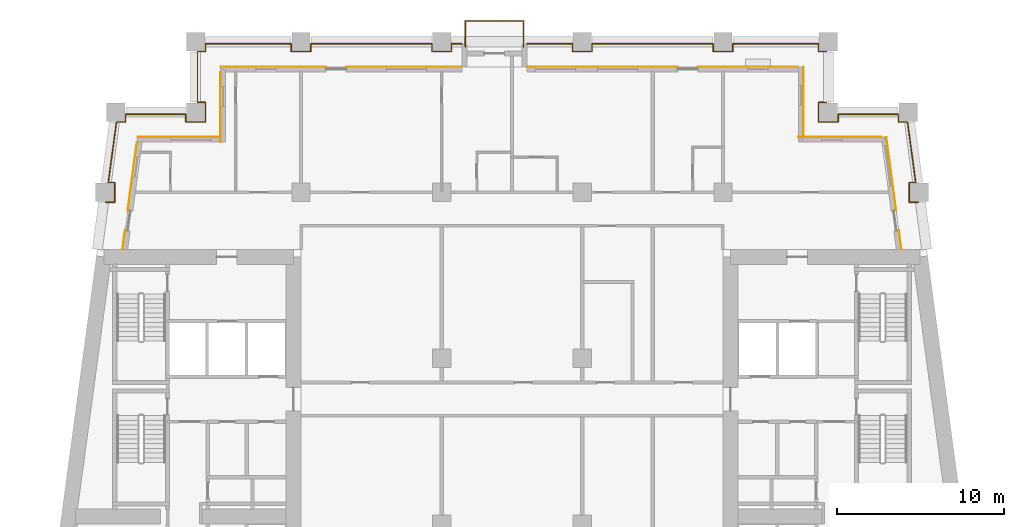
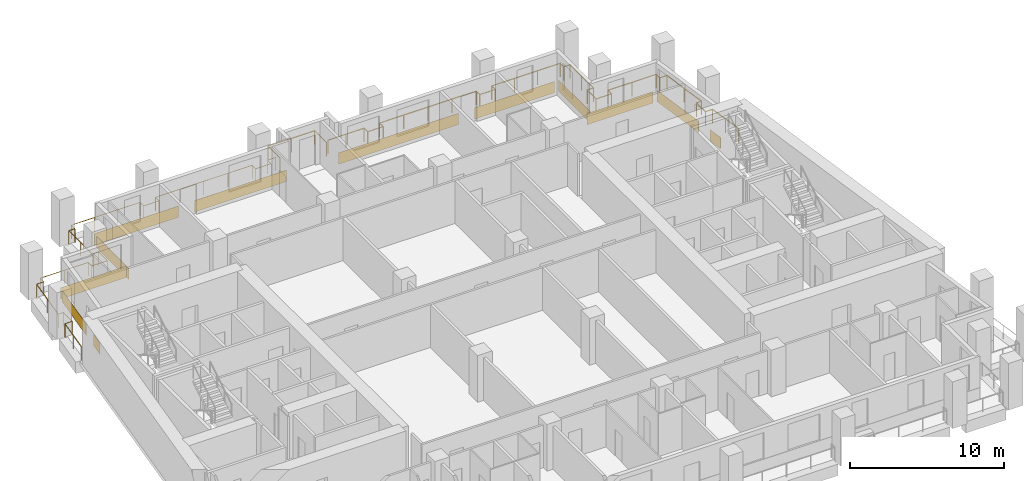
# One storey, part 11 of 12: 12 coverings, 3 railings.
"""IFC4 building model written with IfcOpenShell, lengths in metres."""

from ifc_helpers import new_model, si_unit, direction, frame, origin, origin_2d, place, context, subcontext, project, spatial, rectangle, circle, extrude, material, layer, layer_set, type_object, element, save


model = new_model("IFC4")

# Units and contexts
model_context = context("Model", 3, precision=1e-05, world=origin(), true_north=direction((0.0, 1.0)))
body_context = subcontext(model_context, "Body", "Model", "MODEL_VIEW")
ifc_project = project(units=[si_unit("LENGTHUNIT", "METRE"), si_unit("AREAUNIT", "SQUARE_METRE"), si_unit("VOLUMEUNIT", "CUBIC_METRE"), si_unit("PLANEANGLEUNIT", "RADIAN"), si_unit("MASSUNIT", "GRAM", prefix="KILO")], contexts=[model_context])

# Site, building, storey
site_placement = place(None, origin())
site = spatial("IfcSite", under=ifc_project, at=site_placement, CompositionType="ELEMENT")
building_placement = place(site_placement, origin())
building = spatial("IfcBuilding", under=site, at=building_placement, Name="Candeia Pilgrim Tower and Theatre", CompositionType="ELEMENT")
storey_placement = place(building_placement, frame((0.0, 0.0, 147.800048828125)))
storey = spatial("IfcBuildingStorey", under=building, at=storey_placement, Name="L34", CompositionType="ELEMENT", Elevation=147.800048828125)

# Railings
ifc_material_1 = material(Name="Stainless steel balustrade", Category="steel")
railing_type = type_object("IfcRailingType", Name="G1 loggia guard 1100", PredefinedType="GUARDRAIL", material=ifc_material_1)
railing_1_placement = place(storey_placement, frame((88.758544921875, 132.449951171875, 0.0)))
element("IfcRailing", 1, at=railing_1_placement, inside=storey, type_object=railing_type, Name="Guard L34.2", PredefinedType="GUARDRAIL", context=body_context, shape_type="SweptSolid", body=[
    extrude(circle(Radius=0.02392578125, at=origin_2d()), frame((0.0, 0.0, 1.076171875), z_axis=(0.133382313969, 0.991064659001, 0.0), x_axis=(-0.991064659001, 0.133382313969, 0.0)), (0.0, 0.0, 1.0), 2.794921875),
    extrude(circle(Radius=0.02392578125, at=origin_2d()), frame((0.372802734375, 2.77001953125, 1.076171875), z_axis=(1.0, 0.0, 0.0), x_axis=(0.0, 1.0, 0.0)), (0.0, 0.0, 1.0), 0.537109375),
    extrude(circle(Radius=0.02392578125, at=origin_2d()), frame((0.909912109375, 2.77001953125, 1.076171875), z_axis=(0.0, 1.0, 0.0), x_axis=(-1.0, 0.0, 0.0)), (0.0, 0.0, 1.0), 1.159912109375),
    extrude(circle(Radius=0.02392578125, at=origin_2d()), frame((0.909912109375, 3.929931640625, 1.076171875), z_axis=(-1.0, 0.0, 0.0), x_axis=(0.0, -1.0, 0.0)), (0.0, 0.0, 1.0), 0.380859375),
    extrude(circle(Radius=0.02392578125, at=origin_2d()), frame((0.529052734375, 3.929931640625, 1.076171875), z_axis=(0.133404479078, 0.99106167566, 0.0), x_axis=(-0.99106167566, 0.133404479078, 0.0)), (0.0, 0.0, 1.0), 3.6728515625),
    extrude(circle(Radius=0.02392578125, at=origin_2d()), frame((1.01904296875, 7.570068359375, 1.076171875), z_axis=(1.0, 0.0, 0.0), x_axis=(0.0, 1.0, 0.0)), (0.0, 0.0, 1.0), 0.537109375),
    extrude(circle(Radius=0.02392578125, at=origin_2d()), frame((1.55615234375, 7.570068359375, 1.076171875), z_axis=(0.0, 1.0, 0.0), x_axis=(-1.0, 0.0, 0.0)), (0.0, 0.0, 1.0), 0.4599609375),
    extrude(circle(Radius=0.02392578125, at=origin_2d()), frame((1.55615234375, 8.030029296875, 1.076171875), z_axis=(1.0, 0.0, 0.0), x_axis=(0.0, 1.0, 0.0)), (0.0, 0.0, 1.0), 3.605224609375),
    extrude(circle(Radius=0.02392578125, at=origin_2d()), frame((5.161376953125, 8.030029296875, 1.076171875), z_axis=(0.0, -1.0, 0.0), x_axis=(1.0, 0.0, 0.0)), (0.0, 0.0, 1.0), 0.4599609375),
    extrude(circle(Radius=0.02392578125, at=origin_2d()), frame((5.161376953125, 7.570068359375, 1.076171875), z_axis=(1.0, 0.0, 0.0), x_axis=(0.0, 1.0, 0.0)), (0.0, 0.0, 1.0), 1.16015625),
    extrude(circle(Radius=0.02392578125, at=origin_2d()), frame((6.321533203125, 7.570068359375, 1.076171875), z_axis=(0.0, 1.0, 0.0), x_axis=(-1.0, 0.0, 0.0)), (0.0, 0.0, 1.0), 1.159912109375),
    extrude(circle(Radius=0.02392578125, at=origin_2d()), frame((6.321533203125, 8.72998046875, 1.076171875), z_axis=(-1.0, 0.0, 0.0), x_axis=(0.0, -1.0, 0.0)), (0.0, 0.0, 1.0), 0.4599609375),
    extrude(circle(Radius=0.02392578125, at=origin_2d()), frame((5.861572265625, 8.72998046875, 1.076171875), z_axis=(0.0, 1.0, 0.0), x_axis=(-1.0, 0.0, 0.0)), (0.0, 0.0, 1.0), 3.0400390625),
    extrude(circle(Radius=0.02392578125, at=origin_2d()), frame((5.861572265625, 11.77001953125, 1.076171875), z_axis=(1.0, 0.0, 0.0), x_axis=(0.0, 1.0, 0.0)), (0.0, 0.0, 1.0), 0.4599609375),
    extrude(circle(Radius=0.02392578125, at=origin_2d()), frame((6.321533203125, 11.77001953125, 1.076171875), z_axis=(0.0, 1.0, 0.0), x_axis=(-1.0, 0.0, 0.0)), (0.0, 0.0, 1.0), 0.4599609375),
    extrude(circle(Radius=0.02392578125, at=origin_2d()), frame((6.321533203125, 12.22998046875, 1.076171875), z_axis=(1.0, 0.0, 0.0), x_axis=(0.0, 1.0, 0.0)), (0.0, 0.0, 1.0), 5.139892578125),
    extrude(circle(Radius=0.02392578125, at=origin_2d()), frame((11.46142578125, 12.22998046875, 1.076171875), z_axis=(0.0, -1.0, 0.0), x_axis=(1.0, 0.0, 0.0)), (0.0, 0.0, 1.0), 0.4599609375),
    extrude(circle(Radius=0.02392578125, at=origin_2d()), frame((11.46142578125, 11.77001953125, 1.076171875), z_axis=(1.0, 0.0, 0.0), x_axis=(0.0, 1.0, 0.0)), (0.0, 0.0, 1.0), 1.159912109375),
    extrude(circle(Radius=0.02392578125, at=origin_2d()), frame((12.621337890625, 11.77001953125, 1.076171875), z_axis=(0.0, 1.0, 0.0), x_axis=(-1.0, 0.0, 0.0)), (0.0, 0.0, 1.0), 0.4599609375),
    extrude(circle(Radius=0.02392578125, at=origin_2d()), frame((12.621337890625, 12.22998046875, 1.076171875), z_axis=(1.0, 0.0, 0.0), x_axis=(0.0, 1.0, 0.0)), (0.0, 0.0, 1.0), 7.240234375),
    extrude(circle(Radius=0.02392578125, at=origin_2d()), frame((19.861572265625, 12.22998046875, 1.076171875), z_axis=(0.0, -1.0, 0.0), x_axis=(1.0, 0.0, 0.0)), (0.0, 0.0, 1.0), 0.4599609375),
    extrude(circle(Radius=0.02392578125, at=origin_2d()), frame((19.861572265625, 11.77001953125, 1.076171875), z_axis=(1.0, 0.0, 0.0), x_axis=(0.0, 1.0, 0.0)), (0.0, 0.0, 1.0), 1.159912109375),
    extrude(circle(Radius=0.02392578125, at=origin_2d()), frame((21.021484375, 11.77001953125, 1.076171875), z_axis=(0.0, 1.0, 0.0), x_axis=(-1.0, 0.0, 0.0)), (0.0, 0.0, 1.0), 0.4599609375),
    extrude(circle(Radius=0.02392578125, at=origin_2d()), frame((21.021484375, 12.22998046875, 1.076171875), z_axis=(1.0, 0.0, 0.0), x_axis=(0.0, 1.0, 0.0)), (0.0, 0.0, 1.0), 0.619873046875),
    extrude(circle(Radius=0.02099609375, at=origin_2d()), origin(), (0.0, 0.0, 1.0), 1.052001953125),
    extrude(circle(Radius=0.02099609375, at=origin_2d()), frame((0.1865234375, 1.385009765625, 0.0)), (0.0, 0.0, 1.0), 1.052001953125),
    extrude(circle(Radius=0.02099609375, at=origin_2d()), frame((0.372802734375, 2.77001953125, 0.0)), (0.0, 0.0, 1.0), 1.052001953125),
    extrude(circle(Radius=0.02099609375, at=origin_2d()), frame((0.909912109375, 2.77001953125, 0.0)), (0.0, 0.0, 1.0), 1.052001953125),
    extrude(circle(Radius=0.02099609375, at=origin_2d()), frame((0.909912109375, 3.929931640625, 0.0)), (0.0, 0.0, 1.0), 1.052001953125),
    extrude(circle(Radius=0.02099609375, at=origin_2d()), frame((0.529052734375, 3.929931640625, 0.0)), (0.0, 0.0, 1.0), 1.052001953125),
    extrude(circle(Radius=0.02099609375, at=origin_2d()), frame((0.77392578125, 5.75, 0.0)), (0.0, 0.0, 1.0), 1.052001953125),
    extrude(circle(Radius=0.02099609375, at=origin_2d()), frame((1.01904296875, 7.570068359375, 0.0)), (0.0, 0.0, 1.0), 1.052001953125),
    extrude(circle(Radius=0.02099609375, at=origin_2d()), frame((1.55615234375, 7.570068359375, 0.0)), (0.0, 0.0, 1.0), 1.052001953125),
    extrude(circle(Radius=0.02099609375, at=origin_2d()), frame((1.55615234375, 8.030029296875, 0.0)), (0.0, 0.0, 1.0), 1.052001953125),
    extrude(circle(Radius=0.02099609375, at=origin_2d()), frame((3.35888671875, 8.030029296875, 0.0)), (0.0, 0.0, 1.0), 1.052001953125),
    extrude(circle(Radius=0.02099609375, at=origin_2d()), frame((5.161376953125, 8.030029296875, 0.0)), (0.0, 0.0, 1.0), 1.052001953125),
    extrude(circle(Radius=0.02099609375, at=origin_2d()), frame((5.161376953125, 7.570068359375, 0.0)), (0.0, 0.0, 1.0), 1.052001953125),
    extrude(circle(Radius=0.02099609375, at=origin_2d()), frame((6.321533203125, 7.570068359375, 0.0)), (0.0, 0.0, 1.0), 1.052001953125),
    extrude(circle(Radius=0.02099609375, at=origin_2d()), frame((6.321533203125, 8.72998046875, 0.0)), (0.0, 0.0, 1.0), 1.052001953125),
    extrude(circle(Radius=0.02099609375, at=origin_2d()), frame((5.861572265625, 8.72998046875, 0.0)), (0.0, 0.0, 1.0), 1.052001953125),
    extrude(circle(Radius=0.02099609375, at=origin_2d()), frame((5.861572265625, 10.25, 0.0)), (0.0, 0.0, 1.0), 1.052001953125),
    extrude(circle(Radius=0.02099609375, at=origin_2d()), frame((5.861572265625, 11.77001953125, 0.0)), (0.0, 0.0, 1.0), 1.052001953125),
    extrude(circle(Radius=0.02099609375, at=origin_2d()), frame((6.321533203125, 11.77001953125, 0.0)), (0.0, 0.0, 1.0), 1.052001953125),
    extrude(circle(Radius=0.02099609375, at=origin_2d()), frame((6.321533203125, 12.22998046875, 0.0)), (0.0, 0.0, 1.0), 1.052001953125),
    extrude(circle(Radius=0.02099609375, at=origin_2d()), frame((8.034912109375, 12.22998046875, 0.0)), (0.0, 0.0, 1.0), 1.052001953125),
    extrude(circle(Radius=0.02099609375, at=origin_2d()), frame((9.748046875, 12.22998046875, 0.0)), (0.0, 0.0, 1.0), 1.052001953125),
    extrude(circle(Radius=0.02099609375, at=origin_2d()), frame((11.46142578125, 12.22998046875, 0.0)), (0.0, 0.0, 1.0), 1.052001953125),
    extrude(circle(Radius=0.02099609375, at=origin_2d()), frame((11.46142578125, 11.77001953125, 0.0)), (0.0, 0.0, 1.0), 1.052001953125),
    extrude(circle(Radius=0.02099609375, at=origin_2d()), frame((12.621337890625, 11.77001953125, 0.0)), (0.0, 0.0, 1.0), 1.052001953125),
    extrude(circle(Radius=0.02099609375, at=origin_2d()), frame((12.621337890625, 12.22998046875, 0.0)), (0.0, 0.0, 1.0), 1.052001953125),
    extrude(circle(Radius=0.02099609375, at=origin_2d()), frame((14.431396484375, 12.22998046875, 0.0)), (0.0, 0.0, 1.0), 1.052001953125),
    extrude(circle(Radius=0.02099609375, at=origin_2d()), frame((16.241455078125, 12.22998046875, 0.0)), (0.0, 0.0, 1.0), 1.052001953125),
    extrude(circle(Radius=0.02099609375, at=origin_2d()), frame((18.051513671875, 12.22998046875, 0.0)), (0.0, 0.0, 1.0), 1.052001953125),
    extrude(circle(Radius=0.02099609375, at=origin_2d()), frame((19.861572265625, 12.22998046875, 0.0)), (0.0, 0.0, 1.0), 1.052001953125),
    extrude(circle(Radius=0.02099609375, at=origin_2d()), frame((19.861572265625, 11.77001953125, 0.0)), (0.0, 0.0, 1.0), 1.052001953125),
    extrude(circle(Radius=0.02099609375, at=origin_2d()), frame((21.021484375, 11.77001953125, 0.0)), (0.0, 0.0, 1.0), 1.052001953125),
    extrude(circle(Radius=0.02099609375, at=origin_2d()), frame((21.021484375, 12.22998046875, 0.0)), (0.0, 0.0, 1.0), 1.052001953125),
    extrude(circle(Radius=0.02099609375, at=origin_2d()), frame((21.641357421875, 12.22998046875, 0.0)), (0.0, 0.0, 1.0), 1.052001953125),
])
railing_2_placement = place(storey_placement, frame((114.300048828125, 144.679931640625, 0.0)))
element("IfcRailing", 2, at=railing_2_placement, inside=storey, type_object=railing_type, Name="Guard L34.3", PredefinedType="GUARDRAIL", context=body_context, shape_type="SweptSolid", body=[
    extrude(circle(Radius=0.02392578125, at=origin_2d()), frame((0.0, 0.0, 1.076171875), z_axis=(1.0, 0.0, 0.0), x_axis=(0.0, 1.0, 0.0)), (0.0, 0.0, 1.0), 2.719970703125),
    extrude(circle(Radius=0.02392578125, at=origin_2d()), frame((2.719970703125, 0.0, 1.076171875), z_axis=(0.0, -1.0, 0.0), x_axis=(1.0, 0.0, 0.0)), (0.0, 0.0, 1.0), 0.4599609375),
    extrude(circle(Radius=0.02392578125, at=origin_2d()), frame((2.719970703125, -0.4599609375, 1.076171875), z_axis=(1.0, 0.0, 0.0), x_axis=(0.0, 1.0, 0.0)), (0.0, 0.0, 1.0), 1.159912109375),
    extrude(circle(Radius=0.02392578125, at=origin_2d()), frame((3.8798828125, -0.4599609375, 1.076171875), z_axis=(0.0, 1.0, 0.0), x_axis=(-1.0, 0.0, 0.0)), (0.0, 0.0, 1.0), 0.4599609375),
    extrude(circle(Radius=0.02392578125, at=origin_2d()), frame((3.8798828125, 0.0, 1.076171875), z_axis=(1.0, 0.0, 0.0), x_axis=(0.0, 1.0, 0.0)), (0.0, 0.0, 1.0), 7.239990234375),
    extrude(circle(Radius=0.02392578125, at=origin_2d()), frame((11.119873046875, 0.0, 1.076171875), z_axis=(0.0, -1.0, 0.0), x_axis=(1.0, 0.0, 0.0)), (0.0, 0.0, 1.0), 0.4599609375),
    extrude(circle(Radius=0.02392578125, at=origin_2d()), frame((11.119873046875, -0.4599609375, 1.076171875), z_axis=(1.0, 0.0, 0.0), x_axis=(0.0, 1.0, 0.0)), (0.0, 0.0, 1.0), 1.16015625),
    extrude(circle(Radius=0.02392578125, at=origin_2d()), frame((12.280029296875, -0.4599609375, 1.076171875), z_axis=(0.0, 1.0, 0.0), x_axis=(-1.0, 0.0, 0.0)), (0.0, 0.0, 1.0), 0.4599609375),
    extrude(circle(Radius=0.02392578125, at=origin_2d()), frame((12.280029296875, 0.0, 1.076171875), z_axis=(1.0, 0.0, 0.0), x_axis=(0.0, 1.0, 0.0)), (0.0, 0.0, 1.0), 5.139892578125),
    extrude(circle(Radius=0.02392578125, at=origin_2d()), frame((17.419921875, 0.0, 1.076171875), z_axis=(0.0, -1.0, 0.0), x_axis=(1.0, 0.0, 0.0)), (0.0, 0.0, 1.0), 0.4599609375),
    extrude(circle(Radius=0.02392578125, at=origin_2d()), frame((17.419921875, -0.4599609375, 1.076171875), z_axis=(1.0, 0.0, 0.0), x_axis=(0.0, 1.0, 0.0)), (0.0, 0.0, 1.0), 0.4599609375),
    extrude(circle(Radius=0.02392578125, at=origin_2d()), frame((17.8798828125, -0.4599609375, 1.076171875), z_axis=(0.0, -1.0, 0.0), x_axis=(1.0, 0.0, 0.0)), (0.0, 0.0, 1.0), 3.0400390625),
    extrude(circle(Radius=0.02392578125, at=origin_2d()), frame((17.8798828125, -3.5, 1.076171875), z_axis=(-1.0, 0.0, 0.0), x_axis=(0.0, -1.0, 0.0)), (0.0, 0.0, 1.0), 0.4599609375),
    extrude(circle(Radius=0.02392578125, at=origin_2d()), frame((17.419921875, -3.5, 1.076171875), z_axis=(0.0, -1.0, 0.0), x_axis=(1.0, 0.0, 0.0)), (0.0, 0.0, 1.0), 1.159912109375),
    extrude(circle(Radius=0.02392578125, at=origin_2d()), frame((17.419921875, -4.659912109375, 1.076171875), z_axis=(1.0, 0.0, 0.0), x_axis=(0.0, 1.0, 0.0)), (0.0, 0.0, 1.0), 1.159912109375),
    extrude(circle(Radius=0.02392578125, at=origin_2d()), frame((18.579833984375, -4.659912109375, 1.076171875), z_axis=(0.0, 1.0, 0.0), x_axis=(-1.0, 0.0, 0.0)), (0.0, 0.0, 1.0), 0.4599609375),
    extrude(circle(Radius=0.02392578125, at=origin_2d()), frame((18.579833984375, -4.199951171875, 1.076171875), z_axis=(1.0, 0.0, 0.0), x_axis=(0.0, 1.0, 0.0)), (0.0, 0.0, 1.0), 3.60546875),
    extrude(circle(Radius=0.02392578125, at=origin_2d()), frame((22.185302734375, -4.199951171875, 1.076171875), z_axis=(0.0, -1.0, 0.0), x_axis=(1.0, 0.0, 0.0)), (0.0, 0.0, 1.0), 0.4599609375),
    extrude(circle(Radius=0.02392578125, at=origin_2d()), frame((22.185302734375, -4.659912109375, 1.076171875), z_axis=(1.0, 0.0, 0.0), x_axis=(0.0, 1.0, 0.0)), (0.0, 0.0, 1.0), 0.537109375),
    extrude(circle(Radius=0.02392578125, at=origin_2d()), frame((22.722412109375, -4.659912109375, 1.076171875), z_axis=(0.133404479078, -0.99106167566, 0.0), x_axis=(0.99106167566, 0.133404479078, 0.0)), (0.0, 0.0, 1.0), 3.6728515625),
    extrude(circle(Radius=0.02392578125, at=origin_2d()), frame((23.21240234375, -8.300048828125, 1.076171875), z_axis=(-1.0, 0.0, 0.0), x_axis=(0.0, -1.0, 0.0)), (0.0, 0.0, 1.0), 0.380859375),
    extrude(circle(Radius=0.02392578125, at=origin_2d()), frame((22.83154296875, -8.300048828125, 1.076171875), z_axis=(0.0, -1.0, 0.0), x_axis=(1.0, 0.0, 0.0)), (0.0, 0.0, 1.0), 1.159912109375),
    extrude(circle(Radius=0.02392578125, at=origin_2d()), frame((22.83154296875, -9.4599609375, 1.076171875), z_axis=(1.0, 0.0, 0.0), x_axis=(0.0, 1.0, 0.0)), (0.0, 0.0, 1.0), 0.536865234375),
    extrude(circle(Radius=0.02392578125, at=origin_2d()), frame((23.368408203125, -9.4599609375, 1.076171875), z_axis=(0.133468107709, -0.99105310868, 0.0), x_axis=(0.99105310868, 0.133468107709, 0.0)), (0.0, 0.0, 1.0), 2.794921875),
    extrude(circle(Radius=0.02099609375, at=origin_2d()), origin(), (0.0, 0.0, 1.0), 1.052001953125),
    extrude(circle(Radius=0.02099609375, at=origin_2d()), frame((1.35986328125, 0.0, 0.0)), (0.0, 0.0, 1.0), 1.052001953125),
    extrude(circle(Radius=0.02099609375, at=origin_2d()), frame((2.719970703125, 0.0, 0.0)), (0.0, 0.0, 1.0), 1.052001953125),
    extrude(circle(Radius=0.02099609375, at=origin_2d()), frame((2.719970703125, -0.4599609375, 0.0)), (0.0, 0.0, 1.0), 1.052001953125),
    extrude(circle(Radius=0.02099609375, at=origin_2d()), frame((3.8798828125, -0.4599609375, 0.0)), (0.0, 0.0, 1.0), 1.052001953125),
    extrude(circle(Radius=0.02099609375, at=origin_2d()), frame((3.8798828125, 0.0, 0.0)), (0.0, 0.0, 1.0), 1.052001953125),
    extrude(circle(Radius=0.02099609375, at=origin_2d()), frame((5.68994140625, 0.0, 0.0)), (0.0, 0.0, 1.0), 1.052001953125),
    extrude(circle(Radius=0.02099609375, at=origin_2d()), frame((7.5, 0.0, 0.0)), (0.0, 0.0, 1.0), 1.052001953125),
    extrude(circle(Radius=0.02099609375, at=origin_2d()), frame((9.309814453125, 0.0, 0.0)), (0.0, 0.0, 1.0), 1.052001953125),
    extrude(circle(Radius=0.02099609375, at=origin_2d()), frame((11.119873046875, 0.0, 0.0)), (0.0, 0.0, 1.0), 1.052001953125),
    extrude(circle(Radius=0.02099609375, at=origin_2d()), frame((11.119873046875, -0.4599609375, 0.0)), (0.0, 0.0, 1.0), 1.052001953125),
    extrude(circle(Radius=0.02099609375, at=origin_2d()), frame((12.280029296875, -0.4599609375, 0.0)), (0.0, 0.0, 1.0), 1.052001953125),
    extrude(circle(Radius=0.02099609375, at=origin_2d()), frame((12.280029296875, 0.0, 0.0)), (0.0, 0.0, 1.0), 1.052001953125),
    extrude(circle(Radius=0.02099609375, at=origin_2d()), frame((13.993408203125, 0.0, 0.0)), (0.0, 0.0, 1.0), 1.052001953125),
    extrude(circle(Radius=0.02099609375, at=origin_2d()), frame((15.70654296875, 0.0, 0.0)), (0.0, 0.0, 1.0), 1.052001953125),
    extrude(circle(Radius=0.02099609375, at=origin_2d()), frame((17.419921875, 0.0, 0.0)), (0.0, 0.0, 1.0), 1.052001953125),
    extrude(circle(Radius=0.02099609375, at=origin_2d()), frame((17.419921875, -0.4599609375, 0.0)), (0.0, 0.0, 1.0), 1.052001953125),
    extrude(circle(Radius=0.02099609375, at=origin_2d()), frame((17.8798828125, -0.4599609375, 0.0)), (0.0, 0.0, 1.0), 1.052001953125),
    extrude(circle(Radius=0.02099609375, at=origin_2d()), frame((17.8798828125, -1.97998046875, 0.0)), (0.0, 0.0, 1.0), 1.052001953125),
    extrude(circle(Radius=0.02099609375, at=origin_2d()), frame((17.8798828125, -3.5, 0.0)), (0.0, 0.0, 1.0), 1.052001953125),
    extrude(circle(Radius=0.02099609375, at=origin_2d()), frame((17.419921875, -3.5, 0.0)), (0.0, 0.0, 1.0), 1.052001953125),
    extrude(circle(Radius=0.02099609375, at=origin_2d()), frame((17.419921875, -4.659912109375, 0.0)), (0.0, 0.0, 1.0), 1.052001953125),
    extrude(circle(Radius=0.02099609375, at=origin_2d()), frame((18.579833984375, -4.659912109375, 0.0)), (0.0, 0.0, 1.0), 1.052001953125),
    extrude(circle(Radius=0.02099609375, at=origin_2d()), frame((18.579833984375, -4.199951171875, 0.0)), (0.0, 0.0, 1.0), 1.052001953125),
    extrude(circle(Radius=0.02099609375, at=origin_2d()), frame((20.382568359375, -4.199951171875, 0.0)), (0.0, 0.0, 1.0), 1.052001953125),
    extrude(circle(Radius=0.02099609375, at=origin_2d()), frame((22.185302734375, -4.199951171875, 0.0)), (0.0, 0.0, 1.0), 1.052001953125),
    extrude(circle(Radius=0.02099609375, at=origin_2d()), frame((22.185302734375, -4.659912109375, 0.0)), (0.0, 0.0, 1.0), 1.052001953125),
    extrude(circle(Radius=0.02099609375, at=origin_2d()), frame((22.722412109375, -4.659912109375, 0.0)), (0.0, 0.0, 1.0), 1.052001953125),
    extrude(circle(Radius=0.02099609375, at=origin_2d()), frame((22.96728515625, -6.47998046875, 0.0)), (0.0, 0.0, 1.0), 1.052001953125),
    extrude(circle(Radius=0.02099609375, at=origin_2d()), frame((23.21240234375, -8.300048828125, 0.0)), (0.0, 0.0, 1.0), 1.052001953125),
    extrude(circle(Radius=0.02099609375, at=origin_2d()), frame((22.83154296875, -8.300048828125, 0.0)), (0.0, 0.0, 1.0), 1.052001953125),
    extrude(circle(Radius=0.02099609375, at=origin_2d()), frame((22.83154296875, -9.4599609375, 0.0)), (0.0, 0.0, 1.0), 1.052001953125),
    extrude(circle(Radius=0.02099609375, at=origin_2d()), frame((23.368408203125, -9.4599609375, 0.0)), (0.0, 0.0, 1.0), 1.052001953125),
    extrude(circle(Radius=0.02099609375, at=origin_2d()), frame((23.554931640625, -10.844970703125, 0.0)), (0.0, 0.0, 1.0), 1.052001953125),
    extrude(circle(Radius=0.02099609375, at=origin_2d()), frame((23.741455078125, -12.22998046875, 0.0)), (0.0, 0.0, 1.0), 1.052001953125),
])
railing_3_placement = place(storey_placement, frame((110.610107421875, 144.5, 0.0)))
element("IfcRailing", 3, at=railing_3_placement, inside=storey, type_object=railing_type, Name="Balcony guard L34", PredefinedType="GUARDRAIL", context=body_context, shape_type="SweptSolid", body=[
    extrude(circle(Radius=0.02392578125, at=origin_2d()), frame((0.0, 0.0, 1.076171875), z_axis=(0.0, 1.0, 0.0), x_axis=(-1.0, 0.0, 0.0)), (0.0, 0.0, 1.0), 1.5400390625),
    extrude(circle(Radius=0.02392578125, at=origin_2d()), frame((0.0, 1.5400390625, 1.076171875), z_axis=(1.0, 0.0, 0.0), x_axis=(0.0, 1.0, 0.0)), (0.0, 0.0, 1.0), 3.47998046875),
    extrude(circle(Radius=0.02392578125, at=origin_2d()), frame((3.47998046875, 1.5400390625, 1.076171875), z_axis=(0.0, -1.0, 0.0), x_axis=(1.0, 0.0, 0.0)), (0.0, 0.0, 1.0), 1.5400390625),
    extrude(circle(Radius=0.02099609375, at=origin_2d()), origin(), (0.0, 0.0, 1.0), 1.052001953125),
    extrude(circle(Radius=0.02099609375, at=origin_2d()), frame((0.0, 1.5400390625, 0.0)), (0.0, 0.0, 1.0), 1.052001953125),
    extrude(circle(Radius=0.02099609375, at=origin_2d()), frame((1.739990234375, 1.5400390625, 0.0)), (0.0, 0.0, 1.0), 1.052001953125),
    extrude(circle(Radius=0.02099609375, at=origin_2d()), frame((3.47998046875, 1.5400390625, 0.0)), (0.0, 0.0, 1.0), 1.052001953125),
    extrude(circle(Radius=0.02099609375, at=origin_2d()), frame((3.47998046875, 0.0, 0.0)), (0.0, 0.0, 1.0), 1.052001953125),
])

# Coverings
ifc_material_2 = material(Name="Glazed ceramic tile rust")
ifc_layer = layer(ifc_material_2, 0.02001953125)
ifc_layer_set = layer_set([ifc_layer], Name="Glazed ceramic tile rust")
covering_type = type_object("IfcCoveringType", Name="Glazed ceramic tile rust", PredefinedType="CLADDING", material=ifc_layer_set)
covering_1_placement = place(storey_placement, frame((136.588623046875, 132.97412109375, 0.0), z_axis=(0.0, 0.0, 1.0), x_axis=(-0.133412012145, 0.991060661622, 0.0)))
element("IfcCovering", 4, at=covering_1_placement, inside=storey, type_object=covering_type, Name="Tile cladding rust L34", PredefinedType="CLADDING", context=body_context, shape_type="SweptSolid", body=[
    extrude(rectangle(XDim=1.115234375, YDim=0.02001953125, at=origin_2d()), origin(), (0.0, 0.0, 1.0), 0.89990234375),
])
covering_2_placement = place(storey_placement, frame((136.058837890625, 136.90869140625, 0.0), z_axis=(0.0, 0.0, 1.0), x_axis=(-0.133412012145, 0.991060661622, 0.0)))
element("IfcCovering", 5, at=covering_2_placement, inside=storey, type_object=covering_type, Name="Tile cladding rust L34", PredefinedType="CLADDING", context=body_context, shape_type="SweptSolid", body=[
    extrude(rectangle(XDim=4.4248046875, YDim=0.02001953125, at=origin_2d()), origin(), (0.0, 0.0, 1.0), 0.89990234375),
])
covering_3_placement = place(storey_placement, frame((132.976318359375, 139.110107421875, 0.0), z_axis=(0.0, 0.0, 1.0), x_axis=(-1.0, 0.0, 0.0)))
element("IfcCovering", 6, at=covering_3_placement, inside=storey, type_object=covering_type, Name="Tile cladding rust L34", PredefinedType="CLADDING", context=body_context, shape_type="SweptSolid", body=[
    extrude(rectangle(XDim=4.95263671875, YDim=0.02001953125, at=origin_2d()), origin(), (0.0, 0.0, 1.0), 0.89990234375),
])
covering_4_placement = place(storey_placement, frame((130.81005859375, 141.2099609375, 0.0), z_axis=(0.0, 0.0, 1.0), x_axis=(0.0, 1.0, 0.0)))
element("IfcCovering", 7, at=covering_4_placement, inside=storey, type_object=covering_type, Name="Tile cladding rust L34", PredefinedType="CLADDING", context=body_context, shape_type="SweptSolid", body=[
    extrude(rectangle(XDim=4.179931640625, YDim=0.02001953125, at=origin_2d()), origin(), (0.0, 0.0, 1.0), 0.89990234375),
])
covering_5_placement = place(storey_placement, frame((127.489990234375, 143.31005859375, 0.0), z_axis=(0.0, 0.0, 1.0), x_axis=(-1.0, 0.0, 0.0)))
element("IfcCovering", 8, at=covering_5_placement, inside=storey, type_object=covering_type, Name="Tile cladding rust L34", PredefinedType="CLADDING", context=body_context, shape_type="SweptSolid", body=[
    extrude(rectangle(XDim=5.97998046875, YDim=0.02001953125, at=origin_2d()), origin(), (0.0, 0.0, 1.0), 0.89990234375),
])
covering_6_placement = place(storey_placement, frame((118.800048828125, 143.31005859375, 0.0), z_axis=(0.0, 0.0, 1.0), x_axis=(-1.0, 0.0, 0.0)))
element("IfcCovering", 9, at=covering_6_placement, inside=storey, type_object=covering_type, Name="Tile cladding rust L34", PredefinedType="CLADDING", context=body_context, shape_type="SweptSolid", body=[
    extrude(rectangle(XDim=9.0, YDim=0.02001953125, at=origin_2d()), origin(), (0.0, 0.0, 1.0), 0.89990234375),
])
covering_7_placement = place(storey_placement, frame((106.949951171875, 143.31005859375, 0.0), z_axis=(0.0, 0.0, 1.0), x_axis=(-1.0, 0.0, 0.0)))
element("IfcCovering", 10, at=covering_7_placement, inside=storey, type_object=covering_type, Name="Tile cladding rust L34", PredefinedType="CLADDING", context=body_context, shape_type="SweptSolid", body=[
    extrude(rectangle(XDim=6.89990234375, YDim=0.02001953125, at=origin_2d()), origin(), (0.0, 0.0, 1.0), 0.89990234375),
])
covering_8_placement = place(storey_placement, frame((99.14990234375, 143.31005859375, 0.0), z_axis=(0.0, 0.0, 1.0), x_axis=(-1.0, 0.0, 0.0)))
element("IfcCovering", 11, at=covering_8_placement, inside=storey, type_object=covering_type, Name="Tile cladding rust L34", PredefinedType="CLADDING", context=body_context, shape_type="SweptSolid", body=[
    extrude(rectangle(XDim=6.300048828125, YDim=0.02001953125, at=origin_2d()), origin(), (0.0, 0.0, 1.0), 0.89990234375),
])
covering_9_placement = place(storey_placement, frame((95.989990234375, 140.889892578125, 0.0), z_axis=(0.0, 0.0, 1.0), x_axis=(0.0, -1.0, 0.0)))
element("IfcCovering", 12, at=covering_9_placement, inside=storey, type_object=covering_type, Name="Tile cladding rust L34", PredefinedType="CLADDING", context=body_context, shape_type="SweptSolid", body=[
    extrude(rectangle(XDim=4.179931640625, YDim=0.02001953125, at=origin_2d()), origin(), (0.0, 0.0, 1.0), 0.89990234375),
])
covering_10_placement = place(storey_placement, frame((93.51318359375, 139.110107421875, 0.0), z_axis=(0.0, 0.0, 1.0), x_axis=(-1.0, 0.0, 0.0)))
element("IfcCovering", 13, at=covering_10_placement, inside=storey, type_object=covering_type, Name="Tile cladding rust L34", PredefinedType="CLADDING", context=body_context, shape_type="SweptSolid", body=[
    extrude(rectangle(XDim=4.933837890625, YDim=0.02001953125, at=origin_2d()), origin(), (0.0, 0.0, 1.0), 0.89990234375),
])
covering_11_placement = place(storey_placement, frame((90.720947265625, 136.759521484375, 0.0), z_axis=(0.0, 0.0, 1.0), x_axis=(-0.133412012145, -0.991060661622, 0.0)))
element("IfcCovering", 14, at=covering_11_placement, inside=storey, type_object=covering_type, Name="Tile cladding rust L34", PredefinedType="CLADDING", context=body_context, shape_type="SweptSolid", body=[
    extrude(rectangle(XDim=4.123779296875, YDim=0.02001953125, at=origin_2d()), origin(), (0.0, 0.0, 1.0), 0.89990234375),
])
covering_12_placement = place(storey_placement, frame((90.21142578125, 132.97412109375, 0.0), z_axis=(0.0, 0.0, 1.0), x_axis=(-0.133412012145, -0.991060661622, 0.0)))
element("IfcCovering", 15, at=covering_12_placement, inside=storey, type_object=covering_type, Name="Tile cladding rust L34", PredefinedType="CLADDING", context=body_context, shape_type="SweptSolid", body=[
    extrude(rectangle(XDim=1.115234375, YDim=0.02001953125, at=origin_2d()), origin(), (0.0, 0.0, 1.0), 0.89990234375),
])

save(model, "model.ifc")
